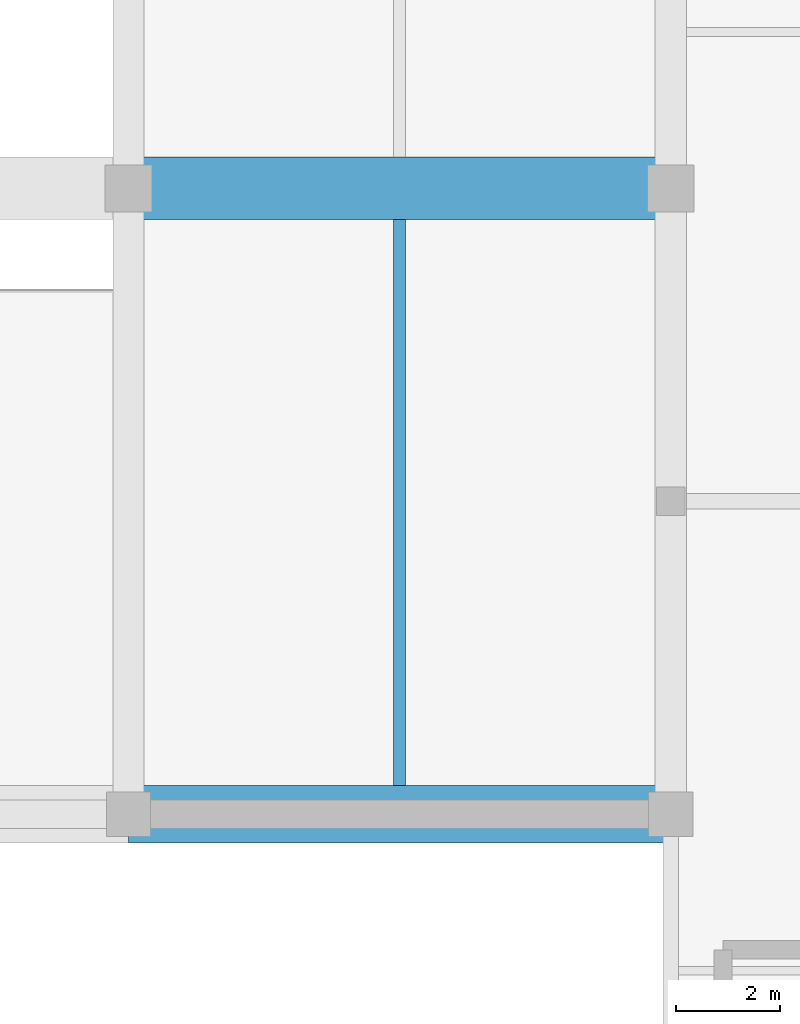
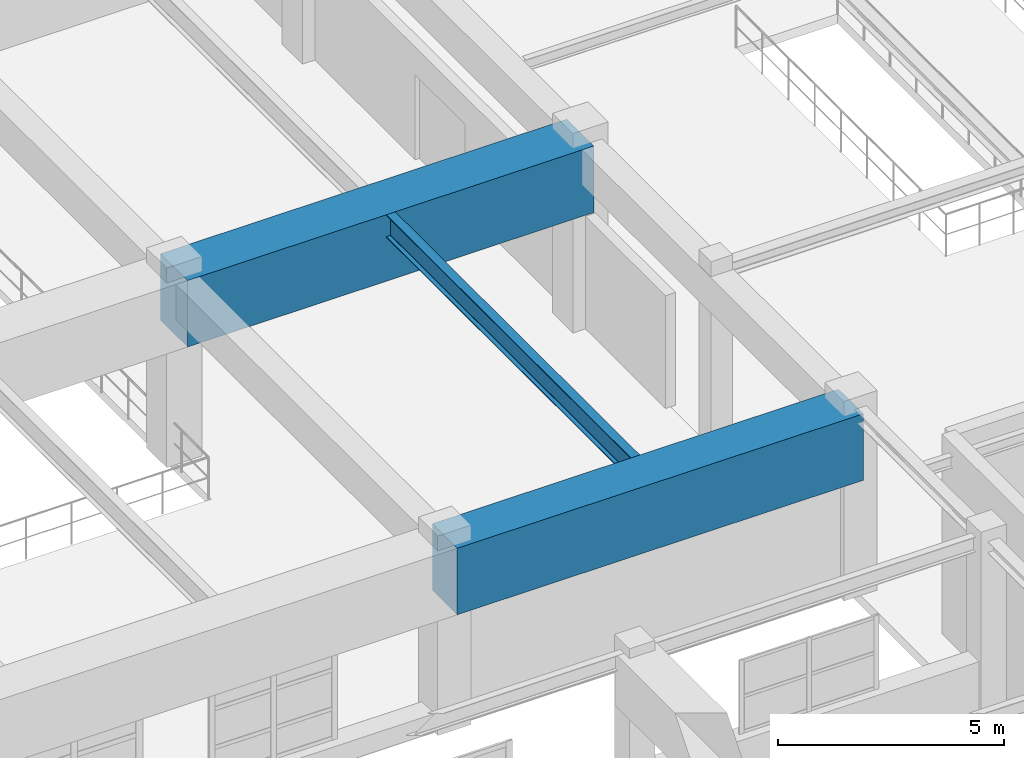
# One storey, part 38 of 197: 3 beams.
"""IFC4 building model written with IfcOpenShell, lengths in metres."""

from ifc_helpers import new_model, si_unit, derived_unit, direction, frame, origin, origin_2d, place, context, subcontext, project, spatial, rectangle, i_section, extrude, material, material_profile, profile_set, type_object, element, save


model = new_model("IFC4")

# Units and contexts
model_context = context("Model", 3, precision=1e-05, world=origin(), true_north=direction((0.0, 1.0)))
body_context = subcontext(model_context, "Body", "Model", "MODEL_VIEW")
ifc_project = project(units=[si_unit("LENGTHUNIT", "METRE"), si_unit("AREAUNIT", "SQUARE_METRE"), si_unit("VOLUMEUNIT", "CUBIC_METRE"), si_unit("PLANEANGLEUNIT", "RADIAN"), si_unit("MASSUNIT", "GRAM", prefix="KILO"), derived_unit("THERMALTRANSMITTANCEUNIT", [(si_unit("POWERUNIT", "WATT"), 1), (si_unit("LENGTHUNIT", "METRE"), -2), (si_unit("THERMODYNAMICTEMPERATUREUNIT", "KELVIN"), -1)])], contexts=[model_context])

# Site, building, storey
site_placement = place(None, origin())
site = spatial("IfcSite", under=ifc_project, at=site_placement, CompositionType="ELEMENT")
building_placement = place(site_placement, origin())
building = spatial("IfcBuilding", under=site, at=building_placement, Name="Almenara Railside Exhibition Hall", CompositionType="ELEMENT")
storey_placement = place(building_placement, frame((0.0, 0.0, 5.39990234375)))
storey = spatial("IfcBuildingStorey", under=building, at=storey_placement, Name="L01", CompositionType="ELEMENT", Elevation=5.39990234375)

# Beams
ifc_material_1 = material(Name="Concrete C40/50", Category="concrete")
ifc_material_profile_1 = material_profile(ifc_material_1, rectangle(XDim=1.10009765625, YDim=1.800048828125, at=origin_2d()), Name="RC 1100x1800")
ifc_profile_set_1 = profile_set([ifc_material_profile_1], Name="Concrete C40/50")
beam_type_1 = type_object("IfcBeamType", Name="RC End Transfer Girder 1100x1800 C40/50", PredefinedType="USERDEFINED", material=ifc_profile_set_1)
beam_1_placement = place(storey_placement, frame((55.60009765625, 48.0, 4.09619140625), z_axis=(1.0, 0.0, 0.0), x_axis=(0.0, 1.0, 0.0)))
element("IfcBeam", 1, at=beam_1_placement, inside=storey, type_object=beam_type_1, Name="Beam 0558", ObjectType="GIRDER", PredefinedType="USERDEFINED", context=body_context, shape_type="SweptSolid", body=[
    extrude(rectangle(XDim=1.10009765625, YDim=1.800048828125, at=origin_2d()), origin(), (0.0, 0.0, 1.0), 10.39990234375),
])
ifc_material_profile_2 = material_profile(ifc_material_1, rectangle(XDim=1.199951171875, YDim=1.800048828125, at=origin_2d()), Name="RC 1200x1800")
ifc_profile_set_2 = profile_set([ifc_material_profile_2], Name="Concrete C40/50")
beam_type_2 = type_object("IfcBeamType", Name="RC Transfer Girder 1200x1800 C40/50", PredefinedType="USERDEFINED", material=ifc_profile_set_2)
beam_2_placement = place(storey_placement, frame((55.60009765625, 60.0, 4.09619140625), z_axis=(1.0, 0.0, 0.0), x_axis=(0.0, 1.0, 0.0)))
element("IfcBeam", 2, at=beam_2_placement, inside=storey, type_object=beam_type_2, Name="Beam 0561", ObjectType="GIRDER", PredefinedType="USERDEFINED", context=body_context, shape_type="SweptSolid", body=[
    extrude(rectangle(XDim=1.199951171875, YDim=1.800048828125, at=origin_2d()), origin(), (0.0, 0.0, 1.0), 10.39990234375),
])
ifc_material_2 = material(Name="Structural steel S355JR", Category="steel")
ifc_material_profile_3 = material_profile(ifc_material_2, i_section(OverallWidth=0.22900390625, OverallDepth=0.6123046875, WebThickness=0.011962890625, FlangeThickness=0.01953125, FilletRadius=0.0126953125, at=origin_2d()), Name="UB 610x229x125")
ifc_profile_set_3 = profile_set([ifc_material_profile_3], Name="Structural steel S355JR")
beam_type_3 = type_object("IfcBeamType", Name="Steel Gallery Girder UB 610x229x125 S355JR", PredefinedType="USERDEFINED", material=ifc_profile_set_3)
beam_3_placement = place(storey_placement, frame((60.800048828125, 48.550048828125, 4.68994140625), z_axis=(0.0, 1.0, 0.0), x_axis=(-1.0, 0.0, 0.0)))
element("IfcBeam", 3, at=beam_3_placement, inside=storey, type_object=beam_type_3, Name="Beam 0591", ObjectType="GIRDER", PredefinedType="USERDEFINED", context=body_context, shape_type="SweptSolid", body=[
    extrude(i_section(OverallWidth=0.22900390625, OverallDepth=0.6123046875, WebThickness=0.011962890625, FlangeThickness=0.01953125, FilletRadius=0.0126953125, at=origin_2d()), origin(), (0.0, 0.0, 1.0), 10.849853515625),
])

save(model, "model.ifc")
